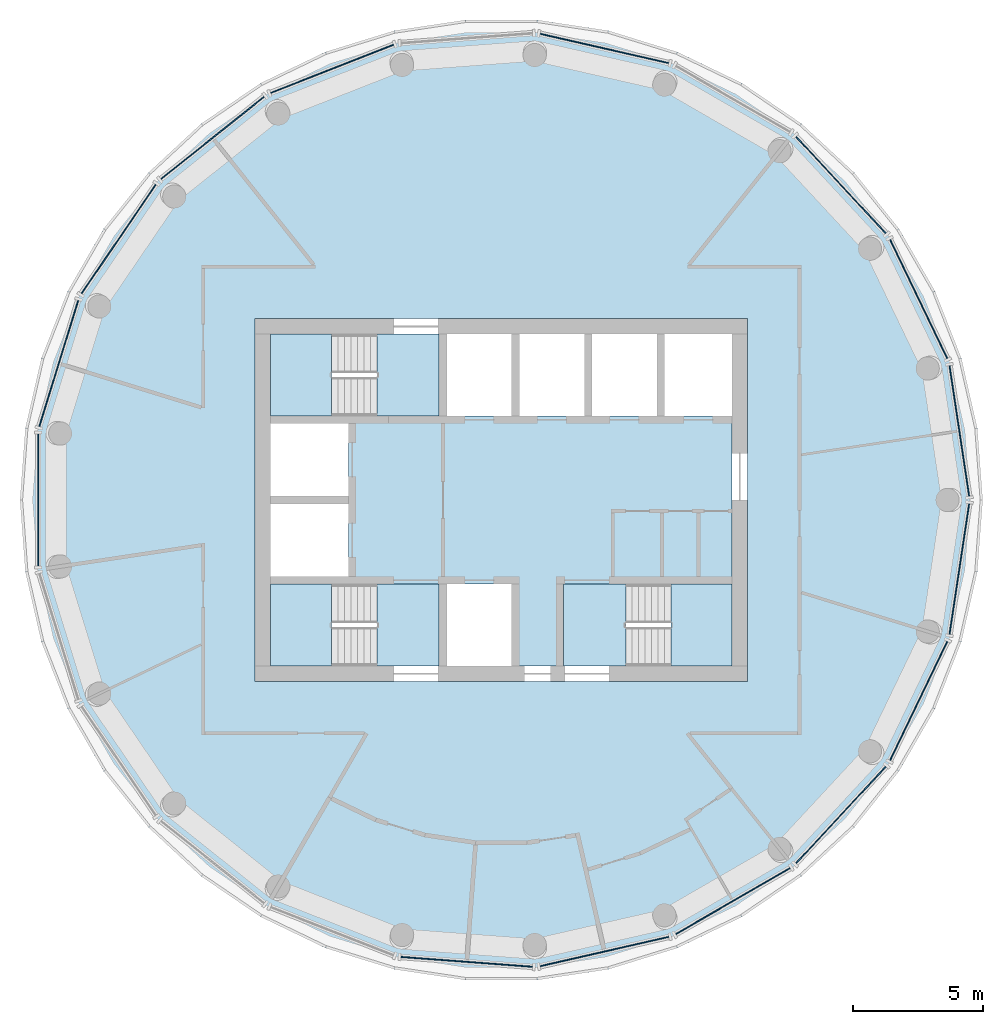
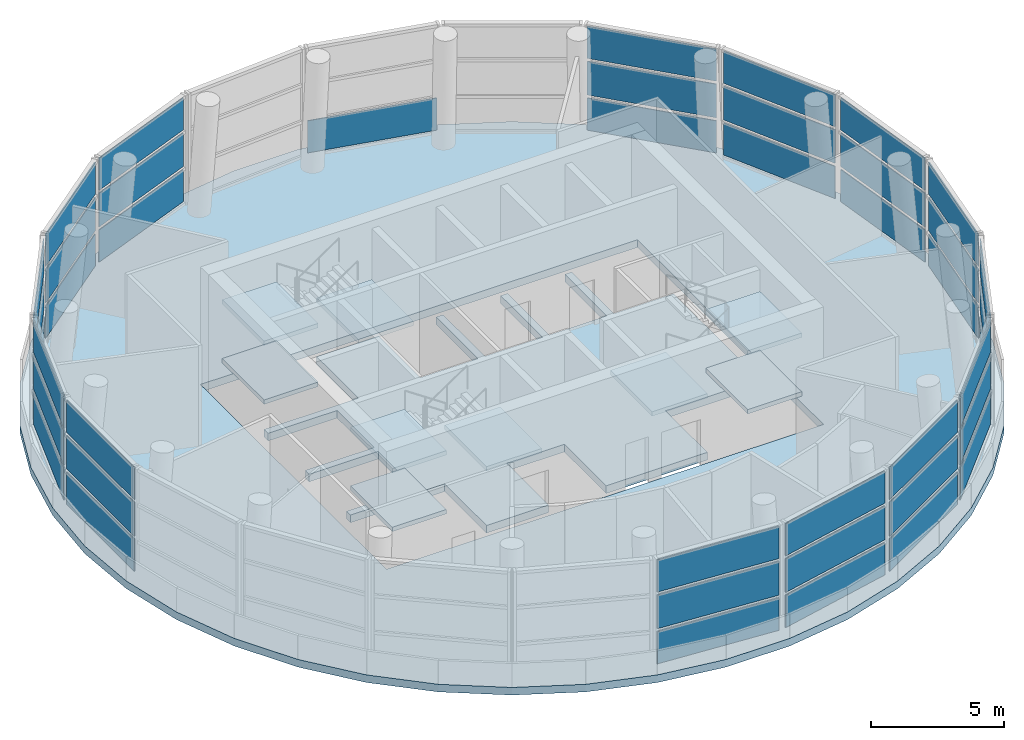
# One storey, part 4 of 11: 43 plates, 11 slabs, 18 elements without a shape of their own.
"""IFC4 building model written with IfcOpenShell, lengths in metres."""

from ifc_helpers import new_model, si_unit, direction, frame, origin, origin_2d, place, context, subcontext, project, spatial, polyline, rectangle, outline, extrude, material, layer, layer_set, type_object, element, aggregate, save


model = new_model("IFC4")

# Units and contexts
model_context = context("Model", 3, precision=1e-05, world=origin(), true_north=direction((0.0, 1.0)))
body_context = subcontext(model_context, "Body", "Model", "MODEL_VIEW")
ifc_project = project(units=[si_unit("LENGTHUNIT", "METRE"), si_unit("AREAUNIT", "SQUARE_METRE"), si_unit("VOLUMEUNIT", "CUBIC_METRE"), si_unit("PLANEANGLEUNIT", "RADIAN"), si_unit("MASSUNIT", "GRAM", prefix="KILO")], contexts=[model_context])

# Site, building, storey
site_placement = place(None, origin())
site = spatial("IfcSite", under=ifc_project, at=site_placement, CompositionType="ELEMENT")
building_placement = place(site_placement, origin())
building = spatial("IfcBuilding", under=site, at=building_placement, Name="Tracery Tower", CompositionType="ELEMENT")
storey_placement = place(building_placement, frame((0.0, 0.0, 346.800048828125)))
storey = spatial("IfcBuildingStorey", under=building, at=storey_placement, Name="L89", CompositionType="ELEMENT", Elevation=346.800048828125)

# Slabs
ifc_material_1 = material(Name="Concrete C40/50", Category="concrete")
ifc_layer_1 = layer(ifc_material_1, 0.35009765625)
ifc_layer_set_1 = layer_set([ifc_layer_1], Name="Core floor slab 350 C40")
slab_type_1 = type_object("IfcSlabType", Name="Core floor slab 350 C40", PredefinedType="FLOOR", material=ifc_layer_set_1)
slab_1_placement = place(storey_placement, frame((0.0, 0.0, -0.35009765625)))
element("IfcSlab", 1, at=slab_1_placement, inside=storey, type_object=slab_type_1, Name="L89 core floor 1", PredefinedType="FLOOR", context=body_context, shape_type="SweptSolid", body=[
    extrude(outline(polyline([(-4.800537109375, -3.25), (-8.89990234375, -3.25), (-8.89990234375, -2.949951171875), (-5.89990234375, -2.949951171875), (-5.89990234375, -0.14990234375), (-8.89990234375, -0.14990234375), (-8.89990234375, 0.14990234375), (-5.89990234375, 0.14990234375), (-5.89990234375, 2.949951171875), (-8.89990234375, 2.949951171875), (-8.89990234375, 3.25), (-4.800537109375, 3.25), (-4.800537109375, 6.39990234375), (-2.10009765625, 6.39990234375), (-2.10009765625, 3.25), (0.39990234375, 3.25), (0.39990234375, 6.39990234375), (0.699951171875, 6.39990234375), (0.699951171875, 3.25), (3.199951171875, 3.25), (3.199951171875, 6.39990234375), (3.5, 6.39990234375), (3.5, 3.25), (6.0, 3.25), (6.0, 6.39990234375), (6.300048828125, 6.39990234375), (6.300048828125, 3.25), (8.89990234375, 3.25), (8.89990234375, -3.25), (4.800537109375, -3.25), (4.800537109375, -6.39990234375), (0.39990234375, -6.39990234375), (0.39990234375, -3.25), (-2.10009765625, -3.25), (-2.10009765625, -6.39990234375), (-4.800537109375, -6.39990234375), (-4.800537109375, -3.25)])), origin(), (0.0, 0.0, 1.0), 0.35009765625),
])
ifc_material_2 = material(Name="Concrete C40/50", Category="concrete")
ifc_layer_2 = layer(ifc_material_2, 0.35009765625)
ifc_layer_set_2 = layer_set([ifc_layer_2], Name="Crown floor slab 350")
slab_type_2 = type_object("IfcSlabType", Name="Crown floor slab 350", PredefinedType="FLOOR", material=ifc_layer_set_2)
slab_2_placement = place(storey_placement, frame((0.0, 0.0, -0.35009765625)))
element("IfcSlab", 2, at=slab_2_placement, inside=storey, type_object=slab_type_2, Name="Floor slab L89", PredefinedType="FLOOR", context=body_context, shape_type="SweptSolid", body=[
    extrude(outline(polyline([(17.7470703125, -5.474365234375), (18.36474609375, -2.76806640625), (18.572265625, 0.0), (18.36474609375, 2.76806640625), (17.7470703125, 5.474365234375), (16.73291015625, 8.05810546875), (15.34521484375, 10.462158203125), (13.614501953125, 12.63232421875), (11.57958984375, 14.520263671875), (9.2861328125, 16.083984375), (6.78515625, 17.288330078125), (4.1328125, 18.106689453125), (1.387939453125, 18.520263671875), (-1.387939453125, 18.520263671875), (-4.1328125, 18.106689453125), (-6.78515625, 17.288330078125), (-9.2861328125, 16.083984375), (-11.57958984375, 14.520263671875), (-13.614501953125, 12.63232421875), (-15.34521484375, 10.462158203125), (-16.73291015625, 8.05810546875), (-17.7470703125, 5.474365234375), (-18.36474609375, 2.76806640625), (-18.572265625, 0.0), (-18.36474609375, -2.76806640625), (-17.7470703125, -5.474365234375), (-16.73291015625, -8.05810546875), (-15.34521484375, -10.462158203125), (-13.614501953125, -12.63232421875), (-11.57958984375, -14.520263671875), (-9.2861328125, -16.083984375), (-6.78515625, -17.288330078125), (-4.1328125, -18.106689453125), (-1.387939453125, -18.520263671875), (1.387939453125, -18.520263671875), (4.1328125, -18.106689453125), (6.78515625, -17.288330078125), (9.2861328125, -16.083984375), (11.57958984375, -14.520263671875), (13.614501953125, -12.63232421875), (15.34521484375, -10.462158203125), (16.73291015625, -8.05810546875), (17.7470703125, -5.474365234375)]), holes=[polyline([(-9.5, -7.0), (9.5, -7.0), (9.5, 7.0), (-9.5, 7.0), (-9.5, -7.0)])]), origin(), (0.0, 0.0, 1.0), 0.35009765625),
])

# Curtain wall, plates
ifc_material_3 = material(Name="Aluminium curtain wall with tinted glass", Category="aluminium")
curtain_wall_type = type_object("IfcCurtainWallType", Name="Observation lower deck glazing curtain wall", PredefinedType="NOTDEFINED", material=ifc_material_3)
curtain_wall_1_placement = place(storey_placement, origin())
curtain_wall_1 = element("IfcCurtainWall", 3, at=curtain_wall_1_placement, inside=storey, type_object=curtain_wall_type, Name="Observation lower deck glazing run 00", PredefinedType="NOTDEFINED")
ifc_material_4 = material(Name="Tinted laminated glass", Category="glass")
ifc_layer_3 = layer(ifc_material_4, 0.0439453125)
ifc_layer_set_3 = layer_set([ifc_layer_3], Name="Observation lower deck glazing glass panel 44")
plate_type = type_object("IfcPlateType", Name="Observation lower deck glazing glass panel 44", PredefinedType="CURTAIN_PANEL", material=ifc_layer_set_3)
plate_1_placement = place(storey_placement, frame((17.670654296875, 2.663330078125, 0.14013671875), z_axis=(0.0, 0.0, 1.0), x_axis=(-0.149030564874, 0.988832589842, 0.0)))
plate_1 = element("IfcPlate", 4, at=plate_1_placement, type_object=plate_type, Name="CWB4 panel 1.1", PredefinedType="CURTAIN_PANEL", context=body_context, shape_type="SweptSolid", body=[
    extrude(rectangle(XDim=5.0869140625, YDim=0.0439453125, at=origin_2d()), origin(), (0.0, 0.0, 1.0), 1.473388671875),
])
plate_2_placement = place(storey_placement, frame((17.670654296875, 2.663330078125, 1.753173828125), z_axis=(0.0, 0.0, 1.0), x_axis=(-0.149030564874, 0.988832589842, 0.0)))
plate_2 = element("IfcPlate", 5, at=plate_2_placement, type_object=plate_type, Name="CWB4 panel 1.2", PredefinedType="CURTAIN_PANEL", context=body_context, shape_type="SweptSolid", body=[
    extrude(rectangle(XDim=5.0869140625, YDim=0.0439453125, at=origin_2d()), origin(), (0.0, 0.0, 1.0), 1.54345703125),
])
plate_3_placement = place(storey_placement, frame((17.670654296875, 2.663330078125, 3.4365234375), z_axis=(0.0, 0.0, 1.0), x_axis=(-0.149030564874, 0.988832589842, 0.0)))
plate_3 = element("IfcPlate", 6, at=plate_3_placement, type_object=plate_type, Name="CWB4 panel 1.3", PredefinedType="CURTAIN_PANEL", context=body_context, shape_type="SweptSolid", body=[
    extrude(rectangle(XDim=5.0869140625, YDim=0.0439453125, at=origin_2d()), origin(), (0.0, 0.0, 1.0), 1.473388671875),
])
aggregate(curtain_wall_1, [plate_1, plate_2, plate_3])

curtain_wall_2_placement = place(storey_placement, origin())
curtain_wall_2 = element("IfcCurtainWall", 7, at=curtain_wall_2_placement, inside=storey, type_object=curtain_wall_type, Name="Observation lower deck glazing run 01", PredefinedType="NOTDEFINED")
plate_4_placement = place(storey_placement, frame((16.1005859375, 7.753662109375, 0.14013671875), z_axis=(0.0, 0.0, 1.0), x_axis=(-0.433876238161, 0.900972480134, 0.0)))
plate_4 = element("IfcPlate", 8, at=plate_4_placement, type_object=plate_type, Name="CWB4 panel 1.1", PredefinedType="CURTAIN_PANEL", context=body_context, shape_type="SweptSolid", body=[
    extrude(rectangle(XDim=5.087158203125, YDim=0.0439453125, at=origin_2d()), origin(), (0.0, 0.0, 1.0), 1.473388671875),
])
plate_5_placement = place(storey_placement, frame((16.1005859375, 7.753662109375, 1.753173828125), z_axis=(0.0, 0.0, 1.0), x_axis=(-0.433876238161, 0.900972480134, 0.0)))
plate_5 = element("IfcPlate", 9, at=plate_5_placement, type_object=plate_type, Name="CWB4 panel 1.2", PredefinedType="CURTAIN_PANEL", context=body_context, shape_type="SweptSolid", body=[
    extrude(rectangle(XDim=5.087158203125, YDim=0.0439453125, at=origin_2d()), origin(), (0.0, 0.0, 1.0), 1.54345703125),
])
plate_6_placement = place(storey_placement, frame((16.1005859375, 7.753662109375, 3.4365234375), z_axis=(0.0, 0.0, 1.0), x_axis=(-0.433876238161, 0.900972480134, 0.0)))
plate_6 = element("IfcPlate", 10, at=plate_6_placement, type_object=plate_type, Name="CWB4 panel 1.3", PredefinedType="CURTAIN_PANEL", context=body_context, shape_type="SweptSolid", body=[
    extrude(rectangle(XDim=5.087158203125, YDim=0.0439453125, at=origin_2d()), origin(), (0.0, 0.0, 1.0), 1.473388671875),
])
aggregate(curtain_wall_2, [plate_4, plate_5, plate_6])

curtain_wall_3_placement = place(storey_placement, origin())
curtain_wall_3 = element("IfcCurtainWall", 11, at=curtain_wall_3_placement, inside=storey, type_object=curtain_wall_type, Name="Observation lower deck glazing run 02", PredefinedType="NOTDEFINED")
plate_7_placement = place(storey_placement, frame((13.099853515625, 12.155029296875, 0.14013671875), z_axis=(0.0, 0.0, 1.0), x_axis=(-0.680175685438, 0.733049136784, 0.0)))
plate_7 = element("IfcPlate", 12, at=plate_7_placement, type_object=plate_type, Name="CWB4 panel 1.1", PredefinedType="CURTAIN_PANEL", context=body_context, shape_type="SweptSolid", body=[
    extrude(rectangle(XDim=5.0869140625, YDim=0.0439453125, at=origin_2d()), origin(), (0.0, 0.0, 1.0), 1.473388671875),
])
plate_8_placement = place(storey_placement, frame((13.099853515625, 12.155029296875, 1.753173828125), z_axis=(0.0, 0.0, 1.0), x_axis=(-0.680175685438, 0.733049136784, 0.0)))
plate_8 = element("IfcPlate", 13, at=plate_8_placement, type_object=plate_type, Name="CWB4 panel 1.2", PredefinedType="CURTAIN_PANEL", context=body_context, shape_type="SweptSolid", body=[
    extrude(rectangle(XDim=5.0869140625, YDim=0.0439453125, at=origin_2d()), origin(), (0.0, 0.0, 1.0), 1.54345703125),
])
plate_9_placement = place(storey_placement, frame((13.099853515625, 12.155029296875, 3.4365234375), z_axis=(0.0, 0.0, 1.0), x_axis=(-0.680175685438, 0.733049136784, 0.0)))
plate_9 = element("IfcPlate", 14, at=plate_9_placement, type_object=plate_type, Name="CWB4 panel 1.3", PredefinedType="CURTAIN_PANEL", context=body_context, shape_type="SweptSolid", body=[
    extrude(rectangle(XDim=5.0869140625, YDim=0.0439453125, at=origin_2d()), origin(), (0.0, 0.0, 1.0), 1.473388671875),
])
aggregate(curtain_wall_3, [plate_7, plate_8, plate_9])

# Curtain wall, plate
curtain_wall_4_placement = place(storey_placement, origin())
curtain_wall_4 = element("IfcCurtainWall", 15, at=curtain_wall_4_placement, inside=storey, type_object=curtain_wall_type, Name="Observation lower deck glazing run 04", PredefinedType="NOTDEFINED")
plate_10_placement = place(storey_placement, frame((3.9765625, 17.42236328125, 0.14013671875), z_axis=(0.0, 0.0, 1.0), x_axis=(-0.974925121639, 0.222533159769, 0.0)))
plate_10 = element("IfcPlate", 16, at=plate_10_placement, type_object=plate_type, Name="CWB4 panel 1.1", PredefinedType="CURTAIN_PANEL", context=body_context, shape_type="SweptSolid", body=[
    extrude(rectangle(XDim=5.087158203125, YDim=0.0439453125, at=origin_2d()), origin(), (0.0, 0.0, 1.0), 1.473388671875),
])
aggregate(curtain_wall_4, [plate_10])

# Curtain wall, plates
curtain_wall_5_placement = place(storey_placement, origin())
curtain_wall_5 = element("IfcCurtainWall", 17, at=curtain_wall_5_placement, inside=storey, type_object=curtain_wall_type, Name="Observation lower deck glazing run 06", PredefinedType="NOTDEFINED")
plate_11_placement = place(storey_placement, frame((-6.52880859375, 16.635009765625, 0.14013671875), z_axis=(0.0, 0.0, 1.0), x_axis=(-0.930872827369, -0.365343371728, 0.0)))
plate_11 = element("IfcPlate", 18, at=plate_11_placement, type_object=plate_type, Name="CWB4 panel 1.1", PredefinedType="CURTAIN_PANEL", context=body_context, shape_type="SweptSolid", body=[
    extrude(rectangle(XDim=5.087158203125, YDim=0.0439453125, at=origin_2d()), origin(), (0.0, 0.0, 1.0), 1.473388671875),
])
plate_12_placement = place(storey_placement, frame((-6.52880859375, 16.635009765625, 1.753173828125), z_axis=(0.0, 0.0, 1.0), x_axis=(-0.930872827369, -0.365343371728, 0.0)))
plate_12 = element("IfcPlate", 19, at=plate_12_placement, type_object=plate_type, Name="CWB4 panel 1.2", PredefinedType="CURTAIN_PANEL", context=body_context, shape_type="SweptSolid", body=[
    extrude(rectangle(XDim=5.087158203125, YDim=0.0439453125, at=origin_2d()), origin(), (0.0, 0.0, 1.0), 1.54345703125),
])
plate_13_placement = place(storey_placement, frame((-6.52880859375, 16.635009765625, 3.4365234375), z_axis=(0.0, 0.0, 1.0), x_axis=(-0.930872827369, -0.365343371728, 0.0)))
plate_13 = element("IfcPlate", 20, at=plate_13_placement, type_object=plate_type, Name="CWB4 panel 1.3", PredefinedType="CURTAIN_PANEL", context=body_context, shape_type="SweptSolid", body=[
    extrude(rectangle(XDim=5.087158203125, YDim=0.0439453125, at=origin_2d()), origin(), (0.0, 0.0, 1.0), 1.473388671875),
])
aggregate(curtain_wall_5, [plate_11, plate_12, plate_13])

curtain_wall_6_placement = place(storey_placement, origin())
curtain_wall_6 = element("IfcCurtainWall", 21, at=curtain_wall_6_placement, inside=storey, type_object=curtain_wall_type, Name="Observation lower deck glazing run 07", PredefinedType="NOTDEFINED")
plate_14_placement = place(storey_placement, frame((-11.14208984375, 13.9716796875, 0.14013671875), z_axis=(0.0, 0.0, 1.0), x_axis=(-0.781838517027, -0.623480980699, 0.0)))
plate_14 = element("IfcPlate", 22, at=plate_14_placement, type_object=plate_type, Name="CWB4 panel 1.1", PredefinedType="CURTAIN_PANEL", context=body_context, shape_type="SweptSolid", body=[
    extrude(rectangle(XDim=5.0869140625, YDim=0.0439453125, at=origin_2d()), origin(), (0.0, 0.0, 1.0), 1.473388671875),
])
plate_15_placement = place(storey_placement, frame((-11.14208984375, 13.9716796875, 1.753173828125), z_axis=(0.0, 0.0, 1.0), x_axis=(-0.781838517027, -0.623480980699, 0.0)))
plate_15 = element("IfcPlate", 23, at=plate_15_placement, type_object=plate_type, Name="CWB4 panel 1.2", PredefinedType="CURTAIN_PANEL", context=body_context, shape_type="SweptSolid", body=[
    extrude(rectangle(XDim=5.0869140625, YDim=0.0439453125, at=origin_2d()), origin(), (0.0, 0.0, 1.0), 1.54345703125),
])
plate_16_placement = place(storey_placement, frame((-11.14208984375, 13.9716796875, 3.4365234375), z_axis=(0.0, 0.0, 1.0), x_axis=(-0.781838517027, -0.623480980699, 0.0)))
plate_16 = element("IfcPlate", 24, at=plate_16_placement, type_object=plate_type, Name="CWB4 panel 1.3", PredefinedType="CURTAIN_PANEL", context=body_context, shape_type="SweptSolid", body=[
    extrude(rectangle(XDim=5.0869140625, YDim=0.0439453125, at=origin_2d()), origin(), (0.0, 0.0, 1.0), 1.473388671875),
])
aggregate(curtain_wall_6, [plate_14, plate_15, plate_16])

curtain_wall_7_placement = place(storey_placement, origin())
curtain_wall_7 = element("IfcCurtainWall", 25, at=curtain_wall_7_placement, inside=storey, type_object=curtain_wall_type, Name="Observation lower deck glazing run 08", PredefinedType="NOTDEFINED")
plate_17_placement = place(storey_placement, frame((-14.76513671875, 10.066650390625, 0.14013671875), z_axis=(0.0, 0.0, 1.0), x_axis=(-0.563323376832, -0.826236511609, 0.0)))
plate_17 = element("IfcPlate", 26, at=plate_17_placement, type_object=plate_type, Name="CWB4 panel 1.1", PredefinedType="CURTAIN_PANEL", context=body_context, shape_type="SweptSolid", body=[
    extrude(rectangle(XDim=5.087158203125, YDim=0.0439453125, at=origin_2d()), origin(), (0.0, 0.0, 1.0), 1.473388671875),
])
plate_18_placement = place(storey_placement, frame((-14.76513671875, 10.066650390625, 1.753173828125), z_axis=(0.0, 0.0, 1.0), x_axis=(-0.563323376832, -0.826236511609, 0.0)))
plate_18 = element("IfcPlate", 27, at=plate_18_placement, type_object=plate_type, Name="CWB4 panel 1.2", PredefinedType="CURTAIN_PANEL", context=body_context, shape_type="SweptSolid", body=[
    extrude(rectangle(XDim=5.087158203125, YDim=0.0439453125, at=origin_2d()), origin(), (0.0, 0.0, 1.0), 1.54345703125),
])
plate_19_placement = place(storey_placement, frame((-14.76513671875, 10.066650390625, 3.4365234375), z_axis=(0.0, 0.0, 1.0), x_axis=(-0.563323376832, -0.826236511609, 0.0)))
plate_19 = element("IfcPlate", 28, at=plate_19_placement, type_object=plate_type, Name="CWB4 panel 1.3", PredefinedType="CURTAIN_PANEL", context=body_context, shape_type="SweptSolid", body=[
    extrude(rectangle(XDim=5.087158203125, YDim=0.0439453125, at=origin_2d()), origin(), (0.0, 0.0, 1.0), 1.473388671875),
])
aggregate(curtain_wall_7, [plate_17, plate_18, plate_19])

curtain_wall_8_placement = place(storey_placement, origin())
curtain_wall_8 = element("IfcCurtainWall", 29, at=curtain_wall_8_placement, inside=storey, type_object=curtain_wall_type, Name="Observation lower deck glazing run 09", PredefinedType="NOTDEFINED")
plate_20_placement = place(storey_placement, frame((-17.076416015625, 5.267333984375, 0.14013671875), z_axis=(0.0, 0.0, 1.0), x_axis=(-0.29475708735, -0.95557221572, 0.0)))
plate_20 = element("IfcPlate", 30, at=plate_20_placement, type_object=plate_type, Name="CWB4 panel 1.1", PredefinedType="CURTAIN_PANEL", context=body_context, shape_type="SweptSolid", body=[
    extrude(rectangle(XDim=5.087158203125, YDim=0.0439453125, at=origin_2d()), origin(), (0.0, 0.0, 1.0), 1.473388671875),
])
plate_21_placement = place(storey_placement, frame((-17.076416015625, 5.267333984375, 1.753173828125), z_axis=(0.0, 0.0, 1.0), x_axis=(-0.29475708735, -0.95557221572, 0.0)))
plate_21 = element("IfcPlate", 31, at=plate_21_placement, type_object=plate_type, Name="CWB4 panel 1.2", PredefinedType="CURTAIN_PANEL", context=body_context, shape_type="SweptSolid", body=[
    extrude(rectangle(XDim=5.087158203125, YDim=0.0439453125, at=origin_2d()), origin(), (0.0, 0.0, 1.0), 1.54345703125),
])
plate_22_placement = place(storey_placement, frame((-17.076416015625, 5.267333984375, 3.4365234375), z_axis=(0.0, 0.0, 1.0), x_axis=(-0.29475708735, -0.95557221572, 0.0)))
plate_22 = element("IfcPlate", 32, at=plate_22_placement, type_object=plate_type, Name="CWB4 panel 1.3", PredefinedType="CURTAIN_PANEL", context=body_context, shape_type="SweptSolid", body=[
    extrude(rectangle(XDim=5.087158203125, YDim=0.0439453125, at=origin_2d()), origin(), (0.0, 0.0, 1.0), 1.473388671875),
])
aggregate(curtain_wall_8, [plate_20, plate_21, plate_22])

curtain_wall_9_placement = place(storey_placement, origin())
curtain_wall_9 = element("IfcCurtainWall", 33, at=curtain_wall_9_placement, inside=storey, type_object=curtain_wall_type, Name="Observation lower deck glazing run 10", PredefinedType="NOTDEFINED")
plate_23_placement = place(storey_placement, frame((-17.870361328125, 0.0, 0.14013671875), z_axis=(0.0, 0.0, 1.0), x_axis=(0.0, -1.0, 0.0)))
plate_23 = element("IfcPlate", 34, at=plate_23_placement, type_object=plate_type, Name="CWB4 panel 1.1", PredefinedType="CURTAIN_PANEL", context=body_context, shape_type="SweptSolid", body=[
    extrude(rectangle(XDim=5.0869140625, YDim=0.0439453125, at=origin_2d()), origin(), (0.0, 0.0, 1.0), 1.473388671875),
])
plate_24_placement = place(storey_placement, frame((-17.870361328125, 0.0, 1.753173828125), z_axis=(0.0, 0.0, 1.0), x_axis=(0.0, -1.0, 0.0)))
plate_24 = element("IfcPlate", 35, at=plate_24_placement, type_object=plate_type, Name="CWB4 panel 1.2", PredefinedType="CURTAIN_PANEL", context=body_context, shape_type="SweptSolid", body=[
    extrude(rectangle(XDim=5.0869140625, YDim=0.0439453125, at=origin_2d()), origin(), (0.0, 0.0, 1.0), 1.54345703125),
])
plate_25_placement = place(storey_placement, frame((-17.870361328125, 0.0, 3.4365234375), z_axis=(0.0, 0.0, 1.0), x_axis=(0.0, -1.0, 0.0)))
plate_25 = element("IfcPlate", 36, at=plate_25_placement, type_object=plate_type, Name="CWB4 panel 1.3", PredefinedType="CURTAIN_PANEL", context=body_context, shape_type="SweptSolid", body=[
    extrude(rectangle(XDim=5.0869140625, YDim=0.0439453125, at=origin_2d()), origin(), (0.0, 0.0, 1.0), 1.473388671875),
])
aggregate(curtain_wall_9, [plate_23, plate_24, plate_25])

curtain_wall_10_placement = place(storey_placement, origin())
curtain_wall_10 = element("IfcCurtainWall", 37, at=curtain_wall_10_placement, inside=storey, type_object=curtain_wall_type, Name="Observation lower deck glazing run 15", PredefinedType="NOTDEFINED")
plate_26_placement = place(storey_placement, frame((-1.33544921875, -17.8203125, 0.14013671875), z_axis=(0.0, 0.0, 1.0), x_axis=(0.997203734876, -0.074730924986, 0.0)))
plate_26 = element("IfcPlate", 38, at=plate_26_placement, type_object=plate_type, Name="CWB4 panel 1.1", PredefinedType="CURTAIN_PANEL", context=body_context, shape_type="SweptSolid", body=[
    extrude(rectangle(XDim=5.087158203125, YDim=0.0439453125, at=origin_2d()), origin(), (0.0, 0.0, 1.0), 1.473388671875),
])
plate_27_placement = place(storey_placement, frame((-1.33544921875, -17.8203125, 1.753173828125), z_axis=(0.0, 0.0, 1.0), x_axis=(0.997203734876, -0.074730924986, 0.0)))
plate_27 = element("IfcPlate", 39, at=plate_27_placement, type_object=plate_type, Name="CWB4 panel 1.2", PredefinedType="CURTAIN_PANEL", context=body_context, shape_type="SweptSolid", body=[
    extrude(rectangle(XDim=5.087158203125, YDim=0.0439453125, at=origin_2d()), origin(), (0.0, 0.0, 1.0), 1.54345703125),
])
plate_28_placement = place(storey_placement, frame((-1.33544921875, -17.8203125, 3.4365234375), z_axis=(0.0, 0.0, 1.0), x_axis=(0.997203734876, -0.074730924986, 0.0)))
plate_28 = element("IfcPlate", 40, at=plate_28_placement, type_object=plate_type, Name="CWB4 panel 1.3", PredefinedType="CURTAIN_PANEL", context=body_context, shape_type="SweptSolid", body=[
    extrude(rectangle(XDim=5.087158203125, YDim=0.0439453125, at=origin_2d()), origin(), (0.0, 0.0, 1.0), 1.473388671875),
])
aggregate(curtain_wall_10, [plate_26, plate_27, plate_28])

curtain_wall_11_placement = place(storey_placement, origin())
curtain_wall_11 = element("IfcCurtainWall", 41, at=curtain_wall_11_placement, inside=storey, type_object=curtain_wall_type, Name="Observation lower deck glazing run 16", PredefinedType="NOTDEFINED")
plate_29_placement = place(storey_placement, frame((3.9765625, -17.42236328125, 0.14013671875), z_axis=(0.0, 0.0, 1.0), x_axis=(0.974925121639, 0.222533159769, 0.0)))
plate_29 = element("IfcPlate", 42, at=plate_29_placement, type_object=plate_type, Name="CWB4 panel 1.1", PredefinedType="CURTAIN_PANEL", context=body_context, shape_type="SweptSolid", body=[
    extrude(rectangle(XDim=5.087158203125, YDim=0.0439453125, at=origin_2d()), origin(), (0.0, 0.0, 1.0), 1.473388671875),
])
plate_30_placement = place(storey_placement, frame((3.9765625, -17.42236328125, 1.753173828125), z_axis=(0.0, 0.0, 1.0), x_axis=(0.974925121639, 0.222533159769, 0.0)))
plate_30 = element("IfcPlate", 43, at=plate_30_placement, type_object=plate_type, Name="CWB4 panel 1.2", PredefinedType="CURTAIN_PANEL", context=body_context, shape_type="SweptSolid", body=[
    extrude(rectangle(XDim=5.087158203125, YDim=0.0439453125, at=origin_2d()), origin(), (0.0, 0.0, 1.0), 1.54345703125),
])
plate_31_placement = place(storey_placement, frame((3.9765625, -17.42236328125, 3.4365234375), z_axis=(0.0, 0.0, 1.0), x_axis=(0.974925121639, 0.222533159769, 0.0)))
plate_31 = element("IfcPlate", 44, at=plate_31_placement, type_object=plate_type, Name="CWB4 panel 1.3", PredefinedType="CURTAIN_PANEL", context=body_context, shape_type="SweptSolid", body=[
    extrude(rectangle(XDim=5.087158203125, YDim=0.0439453125, at=origin_2d()), origin(), (0.0, 0.0, 1.0), 1.473388671875),
])
aggregate(curtain_wall_11, [plate_29, plate_30, plate_31])

curtain_wall_12_placement = place(storey_placement, origin())
curtain_wall_12 = element("IfcCurtainWall", 45, at=curtain_wall_12_placement, inside=storey, type_object=curtain_wall_type, Name="Observation lower deck glazing run 17", PredefinedType="NOTDEFINED")
plate_32_placement = place(storey_placement, frame((8.935302734375, -15.47607421875, 0.14013671875), z_axis=(0.0, 0.0, 1.0), x_axis=(0.866025553682, 0.49999974037, 0.0)))
plate_32 = element("IfcPlate", 46, at=plate_32_placement, type_object=plate_type, Name="CWB4 panel 1.1", PredefinedType="CURTAIN_PANEL", context=body_context, shape_type="SweptSolid", body=[
    extrude(rectangle(XDim=5.0869140625, YDim=0.0439453125, at=origin_2d()), origin(), (0.0, 0.0, 1.0), 1.473388671875),
])
plate_33_placement = place(storey_placement, frame((8.935302734375, -15.47607421875, 1.753173828125), z_axis=(0.0, 0.0, 1.0), x_axis=(0.866025553682, 0.49999974037, 0.0)))
plate_33 = element("IfcPlate", 47, at=plate_33_placement, type_object=plate_type, Name="CWB4 panel 1.2", PredefinedType="CURTAIN_PANEL", context=body_context, shape_type="SweptSolid", body=[
    extrude(rectangle(XDim=5.0869140625, YDim=0.0439453125, at=origin_2d()), origin(), (0.0, 0.0, 1.0), 1.54345703125),
])
plate_34_placement = place(storey_placement, frame((8.935302734375, -15.47607421875, 3.4365234375), z_axis=(0.0, 0.0, 1.0), x_axis=(0.866025553682, 0.49999974037, 0.0)))
plate_34 = element("IfcPlate", 48, at=plate_34_placement, type_object=plate_type, Name="CWB4 panel 1.3", PredefinedType="CURTAIN_PANEL", context=body_context, shape_type="SweptSolid", body=[
    extrude(rectangle(XDim=5.0869140625, YDim=0.0439453125, at=origin_2d()), origin(), (0.0, 0.0, 1.0), 1.473388671875),
])
aggregate(curtain_wall_12, [plate_32, plate_33, plate_34])

curtain_wall_13_placement = place(storey_placement, origin())
curtain_wall_13 = element("IfcCurtainWall", 49, at=curtain_wall_13_placement, inside=storey, type_object=curtain_wall_type, Name="Observation lower deck glazing run 18", PredefinedType="NOTDEFINED")
plate_35_placement = place(storey_placement, frame((13.099853515625, -12.155029296875, 0.14013671875), z_axis=(0.0, 0.0, 1.0), x_axis=(0.680175685438, 0.733049136784, 0.0)))
plate_35 = element("IfcPlate", 50, at=plate_35_placement, type_object=plate_type, Name="CWB4 panel 1.1", PredefinedType="CURTAIN_PANEL", context=body_context, shape_type="SweptSolid", body=[
    extrude(rectangle(XDim=5.0869140625, YDim=0.0439453125, at=origin_2d()), origin(), (0.0, 0.0, 1.0), 1.473388671875),
])
plate_36_placement = place(storey_placement, frame((13.099853515625, -12.155029296875, 1.753173828125), z_axis=(0.0, 0.0, 1.0), x_axis=(0.680175685438, 0.733049136784, 0.0)))
plate_36 = element("IfcPlate", 51, at=plate_36_placement, type_object=plate_type, Name="CWB4 panel 1.2", PredefinedType="CURTAIN_PANEL", context=body_context, shape_type="SweptSolid", body=[
    extrude(rectangle(XDim=5.0869140625, YDim=0.0439453125, at=origin_2d()), origin(), (0.0, 0.0, 1.0), 1.54345703125),
])
plate_37_placement = place(storey_placement, frame((13.099853515625, -12.155029296875, 3.4365234375), z_axis=(0.0, 0.0, 1.0), x_axis=(0.680175685438, 0.733049136784, 0.0)))
plate_37 = element("IfcPlate", 52, at=plate_37_placement, type_object=plate_type, Name="CWB4 panel 1.3", PredefinedType="CURTAIN_PANEL", context=body_context, shape_type="SweptSolid", body=[
    extrude(rectangle(XDim=5.0869140625, YDim=0.0439453125, at=origin_2d()), origin(), (0.0, 0.0, 1.0), 1.473388671875),
])
aggregate(curtain_wall_13, [plate_35, plate_36, plate_37])

curtain_wall_14_placement = place(storey_placement, origin())
curtain_wall_14 = element("IfcCurtainWall", 53, at=curtain_wall_14_placement, inside=storey, type_object=curtain_wall_type, Name="Observation lower deck glazing run 19", PredefinedType="NOTDEFINED")
plate_38_placement = place(storey_placement, frame((16.1005859375, -7.753662109375, 0.14013671875), z_axis=(0.0, 0.0, 1.0), x_axis=(0.433876238161, 0.900972480134, 0.0)))
plate_38 = element("IfcPlate", 54, at=plate_38_placement, type_object=plate_type, Name="CWB4 panel 1.1", PredefinedType="CURTAIN_PANEL", context=body_context, shape_type="SweptSolid", body=[
    extrude(rectangle(XDim=5.087158203125, YDim=0.0439453125, at=origin_2d()), origin(), (0.0, 0.0, 1.0), 1.473388671875),
])
plate_39_placement = place(storey_placement, frame((16.1005859375, -7.753662109375, 1.753173828125), z_axis=(0.0, 0.0, 1.0), x_axis=(0.433876238161, 0.900972480134, 0.0)))
plate_39 = element("IfcPlate", 55, at=plate_39_placement, type_object=plate_type, Name="CWB4 panel 1.2", PredefinedType="CURTAIN_PANEL", context=body_context, shape_type="SweptSolid", body=[
    extrude(rectangle(XDim=5.087158203125, YDim=0.0439453125, at=origin_2d()), origin(), (0.0, 0.0, 1.0), 1.54345703125),
])
plate_40_placement = place(storey_placement, frame((16.1005859375, -7.753662109375, 3.4365234375), z_axis=(0.0, 0.0, 1.0), x_axis=(0.433876238161, 0.900972480134, 0.0)))
plate_40 = element("IfcPlate", 56, at=plate_40_placement, type_object=plate_type, Name="CWB4 panel 1.3", PredefinedType="CURTAIN_PANEL", context=body_context, shape_type="SweptSolid", body=[
    extrude(rectangle(XDim=5.087158203125, YDim=0.0439453125, at=origin_2d()), origin(), (0.0, 0.0, 1.0), 1.473388671875),
])
aggregate(curtain_wall_14, [plate_38, plate_39, plate_40])

curtain_wall_15_placement = place(storey_placement, origin())
curtain_wall_15 = element("IfcCurtainWall", 57, at=curtain_wall_15_placement, inside=storey, type_object=curtain_wall_type, Name="Observation lower deck glazing run 20", PredefinedType="NOTDEFINED")
plate_41_placement = place(storey_placement, frame((17.670654296875, -2.663330078125, 0.14013671875), z_axis=(0.0, 0.0, 1.0), x_axis=(0.149030564874, 0.988832589842, 0.0)))
plate_41 = element("IfcPlate", 58, at=plate_41_placement, type_object=plate_type, Name="CWB4 panel 1.1", PredefinedType="CURTAIN_PANEL", context=body_context, shape_type="SweptSolid", body=[
    extrude(rectangle(XDim=5.0869140625, YDim=0.0439453125, at=origin_2d()), origin(), (0.0, 0.0, 1.0), 1.473388671875),
])
plate_42_placement = place(storey_placement, frame((17.670654296875, -2.663330078125, 1.753173828125), z_axis=(0.0, 0.0, 1.0), x_axis=(0.149030564874, 0.988832589842, 0.0)))
plate_42 = element("IfcPlate", 59, at=plate_42_placement, type_object=plate_type, Name="CWB4 panel 1.2", PredefinedType="CURTAIN_PANEL", context=body_context, shape_type="SweptSolid", body=[
    extrude(rectangle(XDim=5.0869140625, YDim=0.0439453125, at=origin_2d()), origin(), (0.0, 0.0, 1.0), 1.54345703125),
])
plate_43_placement = place(storey_placement, frame((17.670654296875, -2.663330078125, 3.4365234375), z_axis=(0.0, 0.0, 1.0), x_axis=(0.149030564874, 0.988832589842, 0.0)))
plate_43 = element("IfcPlate", 60, at=plate_43_placement, type_object=plate_type, Name="CWB4 panel 1.3", PredefinedType="CURTAIN_PANEL", context=body_context, shape_type="SweptSolid", body=[
    extrude(rectangle(XDim=5.0869140625, YDim=0.0439453125, at=origin_2d()), origin(), (0.0, 0.0, 1.0), 1.473388671875),
])
aggregate(curtain_wall_15, [plate_41, plate_42, plate_43])

# Stair, slabs
ifc_material_5 = material(Name="Concrete C32/40", Category="concrete")
stair_type = type_object("IfcStairType", Name="Core stair 32 risers", PredefinedType="HALF_TURN_STAIR", material=ifc_material_5)
stair_1_placement = place(storey_placement, origin())
stair_1 = element("IfcStair", 61, at=stair_1_placement, inside=storey, type_object=stair_type, Name="L89 stair ST1", PredefinedType="HALF_TURN_STAIR")
ifc_material_6 = material(Name="Concrete C32/40", Category="concrete")
ifc_layer_4 = layer(ifc_material_6, 0.199951171875)
ifc_layer_set_4 = layer_set([ifc_layer_4], Name="Stair landing slab 200")
slab_type_3 = type_object("IfcSlabType", Name="Stair landing slab 200", PredefinedType="LANDING", material=ifc_layer_set_4)
slab_3_placement = place(storey_placement, frame((0.0, 0.0, 1.14990234375)))
slab_3 = element("IfcSlab", 62, at=slab_3_placement, type_object=slab_type_3, Name="ST1 landing 1", PredefinedType="LANDING", context=body_context, shape_type="SweptSolid", body=[
    extrude(outline(polyline([(-6.54931640625, -3.25), (-8.89990234375, -3.25), (-8.89990234375, -6.39990234375), (-6.54931640625, -6.39990234375), (-6.54931640625, -3.25)])), origin(), (0.0, 0.0, 1.0), 0.199951171875),
])
slab_4_placement = place(storey_placement, frame((0.0, 0.0, 2.5)))
slab_4 = element("IfcSlab", 63, at=slab_4_placement, type_object=slab_type_3, Name="ST1 landing 2", PredefinedType="LANDING", context=body_context, shape_type="SweptSolid", body=[
    extrude(outline(polyline([(-2.39990234375, -3.25), (-4.800537109375, -3.25), (-4.800537109375, -6.39990234375), (-2.39990234375, -6.39990234375), (-2.39990234375, -3.25)])), origin(), (0.0, 0.0, 1.0), 0.199951171875),
])
slab_5_placement = place(storey_placement, frame((0.0, 0.0, 3.849853515625)))
slab_5 = element("IfcSlab", 64, at=slab_5_placement, type_object=slab_type_3, Name="ST1 landing 3", PredefinedType="LANDING", context=body_context, shape_type="SweptSolid", body=[
    extrude(outline(polyline([(-6.54931640625, -3.25), (-8.89990234375, -3.25), (-8.89990234375, -6.39990234375), (-6.54931640625, -6.39990234375), (-6.54931640625, -3.25)])), origin(), (0.0, 0.0, 1.0), 0.2001953125),
])
aggregate(stair_1, [slab_3, slab_4, slab_5])

stair_2_placement = place(storey_placement, origin())
stair_2 = element("IfcStair", 65, at=stair_2_placement, inside=storey, type_object=stair_type, Name="L89 stair ST3", PredefinedType="HALF_TURN_STAIR")
slab_6_placement = place(storey_placement, frame((0.0, 0.0, 1.14990234375)))
slab_6 = element("IfcSlab", 66, at=slab_6_placement, type_object=slab_type_3, Name="ST3 landing 1", PredefinedType="LANDING", context=body_context, shape_type="SweptSolid", body=[
    extrude(outline(polyline([(-6.54931640625, 6.39990234375), (-8.89990234375, 6.39990234375), (-8.89990234375, 3.25), (-6.54931640625, 3.25), (-6.54931640625, 6.39990234375)])), origin(), (0.0, 0.0, 1.0), 0.199951171875),
])
slab_7_placement = place(storey_placement, frame((0.0, 0.0, 2.5)))
slab_7 = element("IfcSlab", 67, at=slab_7_placement, type_object=slab_type_3, Name="ST3 landing 2", PredefinedType="LANDING", context=body_context, shape_type="SweptSolid", body=[
    extrude(outline(polyline([(-2.39990234375, 6.39990234375), (-4.800537109375, 6.39990234375), (-4.800537109375, 3.25), (-2.39990234375, 3.25), (-2.39990234375, 6.39990234375)])), origin(), (0.0, 0.0, 1.0), 0.199951171875),
])
slab_8_placement = place(storey_placement, frame((0.0, 0.0, 3.849853515625)))
slab_8 = element("IfcSlab", 68, at=slab_8_placement, type_object=slab_type_3, Name="ST3 landing 3", PredefinedType="LANDING", context=body_context, shape_type="SweptSolid", body=[
    extrude(outline(polyline([(-6.54931640625, 6.39990234375), (-8.89990234375, 6.39990234375), (-8.89990234375, 3.25), (-6.54931640625, 3.25), (-6.54931640625, 6.39990234375)])), origin(), (0.0, 0.0, 1.0), 0.2001953125),
])
aggregate(stair_2, [slab_6, slab_7, slab_8])

stair_3_placement = place(storey_placement, origin())
stair_3 = element("IfcStair", 69, at=stair_3_placement, inside=storey, type_object=stair_type, Name="L89 stair ST2", PredefinedType="HALF_TURN_STAIR")
slab_9_placement = place(storey_placement, frame((0.0, 0.0, 1.14990234375)))
slab_9 = element("IfcSlab", 70, at=slab_9_placement, type_object=slab_type_3, Name="ST2 landing 1", PredefinedType="LANDING", context=body_context, shape_type="SweptSolid", body=[
    extrude(outline(polyline([(6.54931640625, -6.39990234375), (8.89990234375, -6.39990234375), (8.89990234375, -3.25), (6.54931640625, -3.25), (6.54931640625, -6.39990234375)])), origin(), (0.0, 0.0, 1.0), 0.199951171875),
])
slab_10_placement = place(storey_placement, frame((0.0, 0.0, 2.5)))
slab_10 = element("IfcSlab", 71, at=slab_10_placement, type_object=slab_type_3, Name="ST2 landing 2", PredefinedType="LANDING", context=body_context, shape_type="SweptSolid", body=[
    extrude(outline(polyline([(2.39990234375, -6.39990234375), (4.800537109375, -6.39990234375), (4.800537109375, -3.25), (2.39990234375, -3.25), (2.39990234375, -6.39990234375)])), origin(), (0.0, 0.0, 1.0), 0.199951171875),
])
slab_11_placement = place(storey_placement, frame((0.0, 0.0, 3.849853515625)))
slab_11 = element("IfcSlab", 72, at=slab_11_placement, type_object=slab_type_3, Name="ST2 landing 3", PredefinedType="LANDING", context=body_context, shape_type="SweptSolid", body=[
    extrude(outline(polyline([(6.54931640625, -6.39990234375), (8.89990234375, -6.39990234375), (8.89990234375, -3.25), (6.54931640625, -3.25), (6.54931640625, -6.39990234375)])), origin(), (0.0, 0.0, 1.0), 0.2001953125),
])
aggregate(stair_3, [slab_9, slab_10, slab_11])

save(model, "model.ifc")
